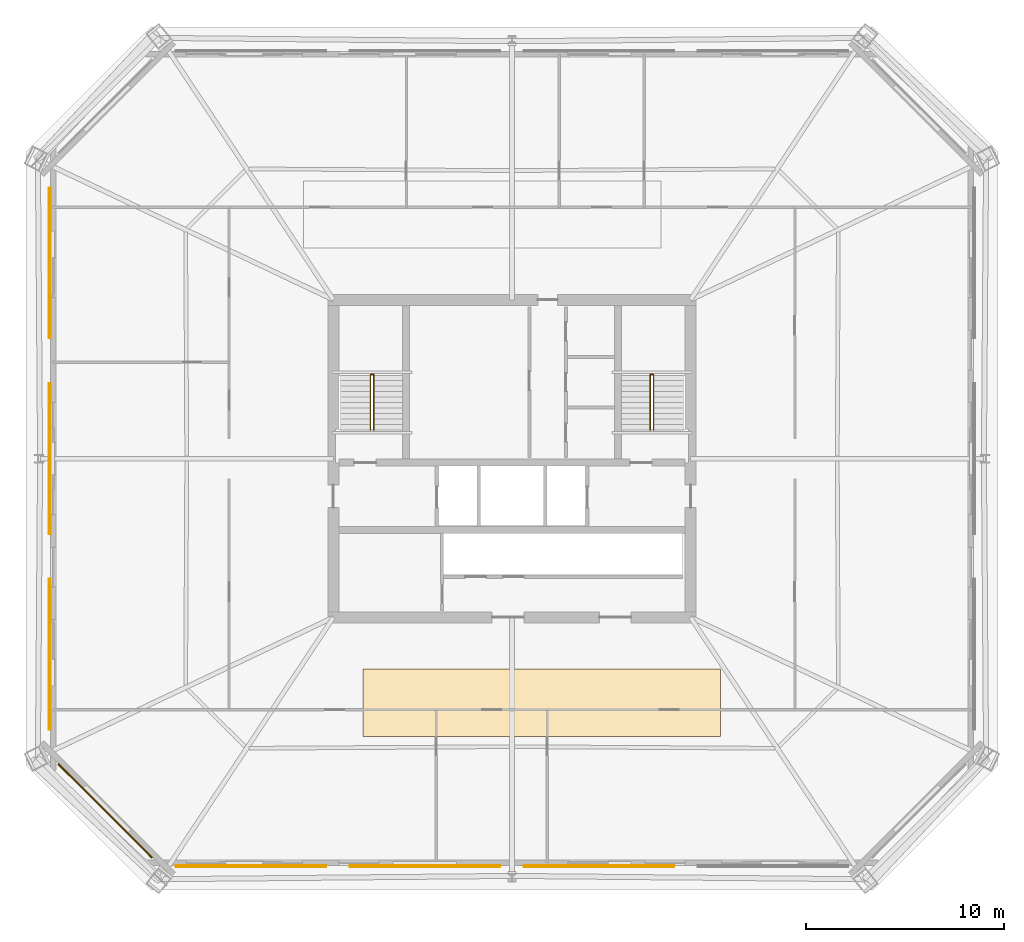
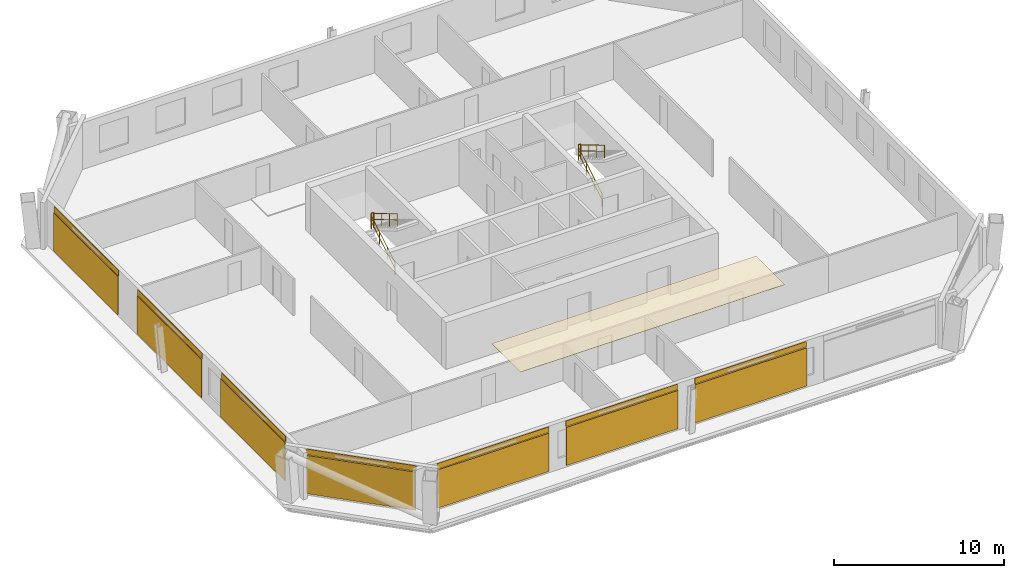
# One storey, part 6 of 7: 8 coverings, 7 shading devices, 6 railings.
"""IFC4 building model written with IfcOpenShell, lengths in metres."""

from ifc_helpers import new_model, si_unit, direction, frame, origin, origin_2d, place, context, subcontext, project, spatial, polyline, rectangle, circle, outline, extrude, material, layer, layer_set, type_object, element, save


model = new_model("IFC4")

# Units and contexts
model_context = context("Model", 3, precision=1e-05, world=origin(), true_north=direction((0.0, 1.0)))
body_context = subcontext(model_context, "Body", "Model", "MODEL_VIEW")
ifc_project = project(units=[si_unit("LENGTHUNIT", "METRE"), si_unit("AREAUNIT", "SQUARE_METRE"), si_unit("VOLUMEUNIT", "CUBIC_METRE"), si_unit("PLANEANGLEUNIT", "RADIAN"), si_unit("MASSUNIT", "GRAM", prefix="KILO")], contexts=[model_context])

# Site, building, storey
site_placement = place(None, origin())
site = spatial("IfcSite", under=ifc_project, at=site_placement, CompositionType="ELEMENT")
building_placement = place(site_placement, origin())
building = spatial("IfcBuilding", under=site, at=building_placement, Name="Caelvoria Tower", CompositionType="ELEMENT")
storey_placement = place(building_placement, frame((0.0, 0.0, 156.39990234375)))
storey = spatial("IfcBuildingStorey", under=building, at=storey_placement, Name="L41", CompositionType="ELEMENT", Elevation=156.39990234375)

# Coverings
ifc_material_1 = material(Name="Acoustic Mineral Fibre Tile", Category="gypsum")
ifc_layer_1 = layer(ifc_material_1, 0.02490234375, Name="Acoustic Mineral Fibre Tile")
ifc_layer_set_1 = layer_set([ifc_layer_1], Name="Mineral-Fibre Acoustic Suspended Ceiling 25 - Acoustic Mineral Fibre Tile")
covering_type_1 = type_object("IfcCoveringType", Name="Mineral-Fibre Acoustic Suspended Ceiling 25", PredefinedType="CEILING", material=ifc_layer_set_1)
covering_1_placement = place(storey_placement, frame((0.0, 0.0, 2.635009765625)))
element("IfcCovering", 1, at=covering_1_placement, inside=storey, type_object=covering_type_1, Name="Suspended Acoustic Ceiling L41", PredefinedType="CEILING", context=body_context, shape_type="SweptSolid", body=[
    extrude(outline(polyline([(38.5, 18.0), (56.5, 18.0), (56.5, 21.39990234375), (38.5, 21.39990234375), (38.5, 18.0)])), origin(), (0.0, 0.0, 1.0), 0.025146484375),
])
ifc_material_2 = material(Name="Perforated Architectural Bronze Cladding Screen", Category="bronze")
ifc_layer_2 = layer(ifc_material_2, 0.0400390625, Name="Perforated Architectural Bronze Cladding Screen")
ifc_layer_set_2 = layer_set([ifc_layer_2], Name="Perforated Bronze Louvre Cladding Band 40 - Perforated Architectural Bronze Cladding Screen")
covering_type_2 = type_object("IfcCoveringType", Name="Perforated Bronze Louvre Cladding Band 40", PredefinedType="CLADDING", material=ifc_layer_set_2)
for number, where, z_axis, x_axis, name in (
    (2, (32.844970703125, 11.47802734375, 2.940185546875), (0.0, 0.0, 1.0), (1.0, 0.0, 0.0), "Perforated Bronze Screen Band L41-E0-00"),
    (3, (41.614990234375, 11.47802734375, 2.940185546875), (0.0, 0.0, 1.0), (1.0, 0.0, 0.0), "Perforated Bronze Screen Band L41-E0-01"),
    (4, (50.385009765625, 11.47802734375, 2.940185546875), (0.0, 0.0, 1.0), (1.0, 0.0, 0.0), "Perforated Bronze Screen Band L41-E0-02"),
    (5, (22.72802734375, 41.860107421875, 2.940185546875), (0.0, 0.0, 1.0), (0.0, -1.0, 0.0), "Perforated Bronze Screen Band L41-E6-00"),
    (6, (22.72802734375, 32.0, 2.940185546875), (0.0, 0.0, 1.0), (0.0, -1.0, 0.0), "Perforated Bronze Screen Band L41-E6-01"),
    (7, (22.72802734375, 22.139892578125, 2.940185546875), (0.0, 0.0, 1.0), (0.0, -1.0, 0.0), "Perforated Bronze Screen Band L41-E6-02"),
):
    element("IfcCovering", number, at=place(storey_placement, frame(where, z_axis=z_axis, x_axis=x_axis)), inside=storey, type_object=covering_type_2, Name=name, PredefinedType="CLADDING", context=body_context, shape_type="SweptSolid", body=[
        extrude(rectangle(XDim=7.60009765625, YDim=0.0400390625, at=origin_2d()), origin(), (0.0, 0.0, 1.0), 0.39990234375),
    ])
covering_2_placement = place(storey_placement, frame((25.518310546875, 14.268310546875, 2.940185546875), z_axis=(0.0, 0.0, 1.0), x_axis=(0.707106781187, -0.707106781187, 0.0)))
element("IfcCovering", 8, at=covering_2_placement, inside=storey, type_object=covering_type_2, Name="Perforated Bronze Screen Band L41-E7-00", PredefinedType="CLADDING", context=body_context, shape_type="SweptSolid", body=[
    extrude(rectangle(XDim=6.6787109375, YDim=0.0400390625, at=origin_2d()), origin(), (0.0, 0.0, 1.0), 0.39990234375),
])

# Shading devices
ifc_material_3 = material(Name="Perforated Architectural Bronze Alloy Panel", Category="bronze")
ifc_layer_3 = layer(ifc_material_3, 0.044921875, Name="Perforated Architectural Bronze Alloy Panel")
ifc_layer_set_3 = layer_set([ifc_layer_3], Name="Perforated Bronze Solar Screen Panel SCREEN - Perforated Architectural Bronze Alloy Panel")
shading_device_type = type_object("IfcShadingDeviceType", Name="Perforated Bronze Solar Screen Panel SCREEN", PredefinedType="USERDEFINED", material=ifc_layer_set_3)
for number, where, z_axis, x_axis, name in (
    (9, (32.844970703125, 11.43505859375, 0.16015625), (0.0, 0.0, 1.0), (1.0, 0.0, 0.0), "Perforated Bronze Solar Screen L41-E0-00"),
    (10, (41.614990234375, 11.43505859375, 0.16015625), (0.0, 0.0, 1.0), (1.0, 0.0, 0.0), "Perforated Bronze Solar Screen L41-E0-01"),
    (11, (50.385009765625, 11.43505859375, 0.16015625), (0.0, 0.0, 1.0), (1.0, 0.0, 0.0), "Perforated Bronze Solar Screen L41-E0-02"),
    (12, (22.68505859375, 41.860107421875, 0.16015625), (0.0, 0.0, 1.0), (0.0, -1.0, 0.0), "Perforated Bronze Solar Screen L41-E6-00"),
    (13, (22.68505859375, 32.0, 0.16015625), (0.0, 0.0, 1.0), (0.0, -1.0, 0.0), "Perforated Bronze Solar Screen L41-E6-01"),
    (14, (22.68505859375, 22.139892578125, 0.16015625), (0.0, 0.0, 1.0), (0.0, -1.0, 0.0), "Perforated Bronze Solar Screen L41-E6-02"),
):
    element("IfcShadingDevice", number, at=place(storey_placement, frame(where, z_axis=z_axis, x_axis=x_axis)), inside=storey, type_object=shading_device_type, Name=name, ObjectType="SCREEN", PredefinedType="USERDEFINED", context=body_context, shape_type="SweptSolid", body=[
        extrude(rectangle(XDim=7.60009765625, YDim=0.044921875, at=origin_2d()), origin(), (0.0, 0.0, 1.0), 2.75),
    ])
shading_device_placement = place(storey_placement, frame((25.48779296875, 14.23779296875, 0.16015625), z_axis=(0.0, 0.0, 1.0), x_axis=(0.707106781187, -0.707106781187, 0.0)))
element("IfcShadingDevice", 15, at=shading_device_placement, inside=storey, type_object=shading_device_type, Name="Perforated Bronze Solar Screen L41-E7-00", ObjectType="SCREEN", PredefinedType="USERDEFINED", context=body_context, shape_type="SweptSolid", body=[
    extrude(rectangle(XDim=6.6787109375, YDim=0.044921875, at=origin_2d()), origin(), (0.0, 0.0, 1.0), 2.75),
])

# Railings
ifc_material_4 = material(Name="Brushed Stainless Steel Tube", Category="steel")
railing_type_1 = type_object("IfcRailingType", Name="Stair Tubular Stainless Handrail 920", PredefinedType="HANDRAIL", material=ifc_material_4)
railing_1_placement = place(storey_placement, frame((38.8701171875, 33.449951171875, 0.163818359375)))
element("IfcRailing", 16, at=railing_1_placement, inside=storey, type_object=railing_type_1, Name="ST-01 Flight 1 Handrail L41", PredefinedType="HANDRAIL", context=body_context, shape_type="SweptSolid", body=[
    extrude(circle(Radius=0.02392578125, at=origin_2d()), frame((0.0, 0.0, 0.89599609375), z_axis=(0.0, 0.859385484447, 0.511328259656), x_axis=(-1.0, 0.0, 0.0)), (0.0, 0.0, 1.0), 3.199951171875),
    extrude(circle(Radius=0.02392578125, at=origin_2d()), frame((0.0, 0.0, 0.4599609375), z_axis=(0.0, 0.859385484447, 0.511328259656), x_axis=(-1.0, 0.0, 0.0)), (0.0, 0.0, 1.0), 3.199951171875),
    extrude(circle(Radius=0.02099609375, at=origin_2d()), origin(), (0.0, 0.0, 1.0), 0.871826171875),
    extrude(circle(Radius=0.02099609375, at=origin_2d()), frame((0.0, 0.916748046875, 0.54541015625)), (0.0, 0.0, 1.0), 0.871826171875),
    extrude(circle(Radius=0.02099609375, at=origin_2d()), frame((0.0, 1.833251953125, 1.0908203125)), (0.0, 0.0, 1.0), 0.871826171875),
    extrude(circle(Radius=0.02099609375, at=origin_2d()), frame((0.0, 2.75, 1.63623046875)), (0.0, 0.0, 1.0), 0.871826171875),
])
railing_2_placement = place(storey_placement, frame((39.030029296875, 36.199951171875, 1.963623046875)))
element("IfcRailing", 17, at=railing_2_placement, inside=storey, type_object=railing_type_1, Name="ST-01 Flight 2 Handrail L41", PredefinedType="HANDRAIL", context=body_context, shape_type="SweptSolid", body=[
    extrude(circle(Radius=0.02392578125, at=origin_2d()), frame((0.0, 0.0, 0.89599609375), z_axis=(0.0, -0.859351957796, 0.511384603436), x_axis=(1.0, 0.0, 0.0)), (0.0, 0.0, 1.0), 3.2001953125),
    extrude(circle(Radius=0.02392578125, at=origin_2d()), frame((0.0, 0.0, 0.4599609375), z_axis=(0.0, -0.859351957796, 0.511384603436), x_axis=(1.0, 0.0, 0.0)), (0.0, 0.0, 1.0), 3.2001953125),
    extrude(circle(Radius=0.02099609375, at=origin_2d()), origin(), (0.0, 0.0, 1.0), 0.871826171875),
    extrude(circle(Radius=0.02099609375, at=origin_2d()), frame((0.0, -0.916748046875, 0.54541015625)), (0.0, 0.0, 1.0), 0.871826171875),
    extrude(circle(Radius=0.02099609375, at=origin_2d()), frame((0.0, -1.833251953125, 1.091064453125)), (0.0, 0.0, 1.0), 0.871826171875),
    extrude(circle(Radius=0.02099609375, at=origin_2d()), frame((0.0, -2.75, 1.636474609375)), (0.0, 0.0, 1.0), 0.871826171875),
])
railing_3_placement = place(storey_placement, frame((52.969970703125, 33.449951171875, 0.163818359375)))
element("IfcRailing", 18, at=railing_3_placement, inside=storey, type_object=railing_type_1, Name="ST-02 Flight 1 Handrail L41", PredefinedType="HANDRAIL", context=body_context, shape_type="SweptSolid", body=[
    extrude(circle(Radius=0.02392578125, at=origin_2d()), frame((0.0, 0.0, 0.89599609375), z_axis=(0.0, 0.859385484447, 0.511328259656), x_axis=(-1.0, 0.0, 0.0)), (0.0, 0.0, 1.0), 3.199951171875),
    extrude(circle(Radius=0.02392578125, at=origin_2d()), frame((0.0, 0.0, 0.4599609375), z_axis=(0.0, 0.859385484447, 0.511328259656), x_axis=(-1.0, 0.0, 0.0)), (0.0, 0.0, 1.0), 3.199951171875),
    extrude(circle(Radius=0.02099609375, at=origin_2d()), origin(), (0.0, 0.0, 1.0), 0.871826171875),
    extrude(circle(Radius=0.02099609375, at=origin_2d()), frame((0.0, 0.916748046875, 0.54541015625)), (0.0, 0.0, 1.0), 0.871826171875),
    extrude(circle(Radius=0.02099609375, at=origin_2d()), frame((0.0, 1.833251953125, 1.0908203125)), (0.0, 0.0, 1.0), 0.871826171875),
    extrude(circle(Radius=0.02099609375, at=origin_2d()), frame((0.0, 2.75, 1.63623046875)), (0.0, 0.0, 1.0), 0.871826171875),
])
railing_4_placement = place(storey_placement, frame((53.1298828125, 36.199951171875, 1.963623046875)))
element("IfcRailing", 19, at=railing_4_placement, inside=storey, type_object=railing_type_1, Name="ST-02 Flight 2 Handrail L41", PredefinedType="HANDRAIL", context=body_context, shape_type="SweptSolid", body=[
    extrude(circle(Radius=0.02392578125, at=origin_2d()), frame((0.0, 0.0, 0.89599609375), z_axis=(0.0, -0.859351957796, 0.511384603436), x_axis=(1.0, 0.0, 0.0)), (0.0, 0.0, 1.0), 3.2001953125),
    extrude(circle(Radius=0.02392578125, at=origin_2d()), frame((0.0, 0.0, 0.4599609375), z_axis=(0.0, -0.859351957796, 0.511384603436), x_axis=(1.0, 0.0, 0.0)), (0.0, 0.0, 1.0), 3.2001953125),
    extrude(circle(Radius=0.02099609375, at=origin_2d()), origin(), (0.0, 0.0, 1.0), 0.871826171875),
    extrude(circle(Radius=0.02099609375, at=origin_2d()), frame((0.0, -0.916748046875, 0.54541015625)), (0.0, 0.0, 1.0), 0.871826171875),
    extrude(circle(Radius=0.02099609375, at=origin_2d()), frame((0.0, -1.833251953125, 1.091064453125)), (0.0, 0.0, 1.0), 0.871826171875),
    extrude(circle(Radius=0.02099609375, at=origin_2d()), frame((0.0, -2.75, 1.636474609375)), (0.0, 0.0, 1.0), 0.871826171875),
])
ifc_material_5 = material(Name="Brushed Stainless Steel Guardrail", Category="steel")
railing_type_2 = type_object("IfcRailingType", Name="Stair Well and Ramp Guardrail 1120", PredefinedType="GUARDRAIL", material=ifc_material_5)
for number, where, name in (
    (20, (38.8701171875, 36.239990234375, 1.800048828125), "ST-01 Half-Landing Well Guard L41"),
    (21, (52.969970703125, 36.239990234375, 1.800048828125), "ST-02 Half-Landing Well Guard L41"),
):
    element("IfcRailing", number, at=place(storey_placement, frame(where)), inside=storey, type_object=railing_type_2, Name=name, PredefinedType="GUARDRAIL", context=body_context, shape_type="SweptSolid", body=[
        extrude(circle(Radius=0.02392578125, at=origin_2d()), frame((0.0, 0.0, 1.09619140625), z_axis=(1.0, 0.0, 0.0), x_axis=(0.0, 1.0, 0.0)), (0.0, 0.0, 1.0), 0.159912109375),
        extrude(circle(Radius=0.02392578125, at=origin_2d()), frame((0.0, 0.0, 0.56005859375), z_axis=(1.0, 0.0, 0.0), x_axis=(0.0, 1.0, 0.0)), (0.0, 0.0, 1.0), 0.159912109375),
        extrude(circle(Radius=0.02099609375, at=origin_2d()), origin(), (0.0, 0.0, 1.0), 1.072021484375),
        extrude(circle(Radius=0.02099609375, at=origin_2d()), frame((0.159912109375, 0.0, 0.0)), (0.0, 0.0, 1.0), 1.072021484375),
    ])

save(model, "model.ifc")
